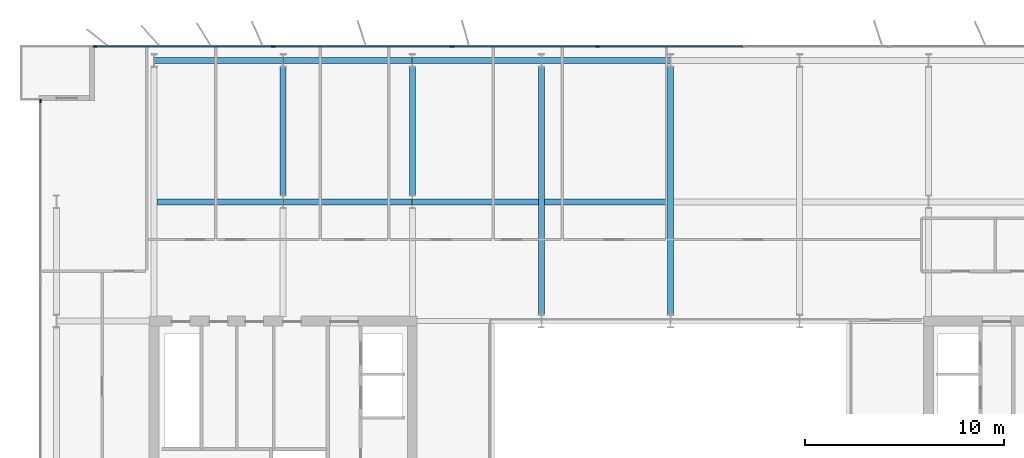
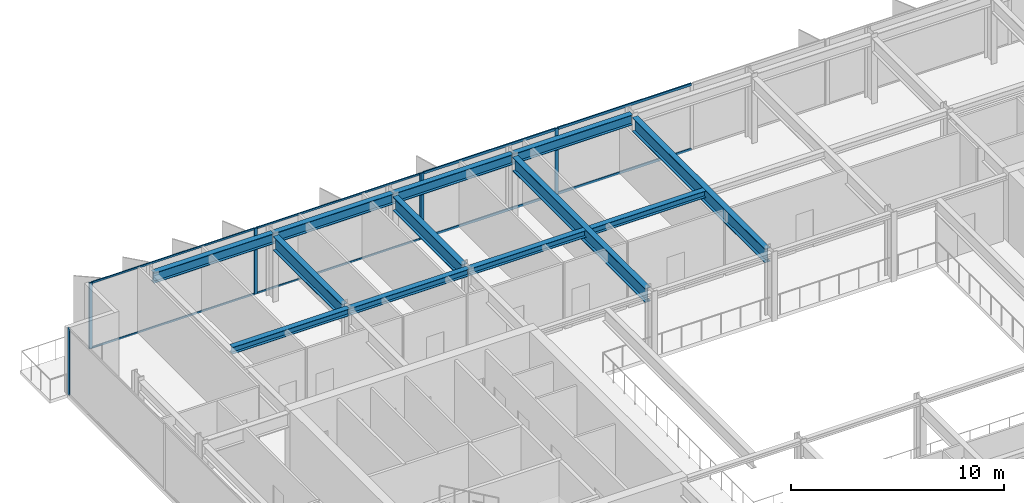
# One storey, part 8 of 20: 14 members, 12 beams, 3 elements without a shape of their own.
"""IFC4 building model written with IfcOpenShell, lengths in metres."""

from ifc_helpers import new_model, si_unit, direction, frame, origin, origin_2d, place, context, subcontext, project, spatial, rectangle, i_section, extrude, material, layer, layer_set, material_profile, profile_set, type_object, element, aggregate, save


model = new_model("IFC4")

# Units and contexts
model_context = context("Model", 3, precision=1e-05, world=origin(), true_north=direction((0.0, 1.0)))
body_context = subcontext(model_context, "Body", "Model", "MODEL_VIEW")
ifc_project = project(units=[si_unit("LENGTHUNIT", "METRE"), si_unit("AREAUNIT", "SQUARE_METRE"), si_unit("VOLUMEUNIT", "CUBIC_METRE"), si_unit("PLANEANGLEUNIT", "RADIAN"), si_unit("MASSUNIT", "GRAM", prefix="KILO")], contexts=[model_context])

# Site, building, storey
site_placement = place(None, origin())
site = spatial("IfcSite", under=ifc_project, at=site_placement, CompositionType="ELEMENT")
building_placement = place(site_placement, origin())
building = spatial("IfcBuilding", under=site, at=building_placement, Name="Putna Gate Headquarters", CompositionType="ELEMENT")
storey_placement = place(building_placement, frame((0.0, 0.0, 282.39990234375)))
storey = spatial("IfcBuildingStorey", under=building, at=storey_placement, Name="L71", CompositionType="ELEMENT", Elevation=282.39990234375)

# Beams
ifc_material_1 = material(Name="Steel S355J2", Category="steel")
ifc_material_profile_1 = material_profile(ifc_material_1, i_section(OverallWidth=0.300048828125, OverallDepth=0.800048828125, WebThickness=0.017578125, FlangeThickness=0.032958984375, at=origin_2d()), Name="Steel S355J2")
ifc_profile_set_1 = profile_set([ifc_material_profile_1], Name="Steel S355J2")
beam_type_1 = type_object("IfcBeamType", Name="BM-GIRD-P-HEB800", PredefinedType="USERDEFINED", material=ifc_profile_set_1)
for number, where, z_axis, x_axis, name in (
    (1, (19.5, 39.322021484375, 3.38818359375), (0.0, 1.0, 0.0), (-1.0, 0.0, 0.0), "L71 North Primary Girder X19-2"),
    (2, (26.0, 39.322021484375, 3.38818359375), (0.0, 1.0, 0.0), (-1.0, 0.0, 0.0), "L71 North Primary Girder X26-2"),
):
    element("IfcBeam", number, at=place(storey_placement, frame(where, z_axis=z_axis, x_axis=x_axis)), inside=storey, type_object=beam_type_1, Name=name, ObjectType="GIRDER", PredefinedType="USERDEFINED", context=body_context, shape_type="SweptSolid", body=[
        extrude(i_section(OverallWidth=0.300048828125, OverallDepth=0.800048828125, WebThickness=0.017578125, FlangeThickness=0.032958984375, at=origin_2d()), origin(), (0.0, 0.0, 1.0), 6.47607421875),
    ])
for number, where, z_axis, x_axis, name in (
    (3, (32.5, 33.322021484375, 3.38818359375), (0.0, 1.0, 0.0), (-1.0, 0.0, 0.0), "L71 North Primary Girder X32"),
    (4, (39.0, 33.322021484375, 3.38818359375), (0.0, 1.0, 0.0), (-1.0, 0.0, 0.0), "L71 North Primary Girder X39"),
):
    element("IfcBeam", number, at=place(storey_placement, frame(where, z_axis=z_axis, x_axis=x_axis)), inside=storey, type_object=beam_type_1, Name=name, ObjectType="GIRDER", PredefinedType="USERDEFINED", context=body_context, shape_type="SweptSolid", body=[
        extrude(i_section(OverallWidth=0.300048828125, OverallDepth=0.800048828125, WebThickness=0.017578125, FlangeThickness=0.032958984375, at=origin_2d()), origin(), (0.0, 0.0, 1.0), 12.47607421875),
    ])
ifc_material_profile_2 = material_profile(ifc_material_1, i_section(OverallWidth=0.300048828125, OverallDepth=0.389892578125, WebThickness=0.010986328125, FlangeThickness=0.01904296875, at=origin_2d()), Name="Steel S355J2")
ifc_profile_set_2 = profile_set([ifc_material_profile_2], Name="Steel S355J2")
beam_type_2 = type_object("IfcBeamType", Name="BM-SEC-Z5-HEA400", PredefinedType="BEAM", material=ifc_profile_set_2)
beam_1_placement = place(storey_placement, frame((13.154052734375, 39.0, 3.593017578125), z_axis=(1.0, 0.0, 0.0), x_axis=(0.0, 1.0, 0.0)))
element("IfcBeam", 5, at=beam_1_placement, inside=storey, type_object=beam_type_2, Name="L71 North Secondary Beam 1", PredefinedType="BEAM", context=body_context, shape_type="SweptSolid", body=[
    extrude(i_section(OverallWidth=0.300048828125, OverallDepth=0.389892578125, WebThickness=0.010986328125, FlangeThickness=0.01904296875, at=origin_2d()), origin(), (0.0, 0.0, 1.0), 6.33984375),
])
beam_2_placement = place(storey_placement, frame((19.506103515625, 39.0, 3.593017578125), z_axis=(1.0, 0.0, 0.0), x_axis=(0.0, 1.0, 0.0)))
element("IfcBeam", 6, at=beam_2_placement, inside=storey, type_object=beam_type_2, Name="L71 North Secondary Beam 2", PredefinedType="BEAM", context=body_context, shape_type="SweptSolid", body=[
    extrude(i_section(OverallWidth=0.300048828125, OverallDepth=0.389892578125, WebThickness=0.010986328125, FlangeThickness=0.01904296875, at=origin_2d()), origin(), (0.0, 0.0, 1.0), 6.48779296875),
])
beam_3_placement = place(storey_placement, frame((26.006103515625, 39.0, 3.593017578125), z_axis=(1.0, 0.0, 0.0), x_axis=(0.0, 1.0, 0.0)))
element("IfcBeam", 7, at=beam_3_placement, inside=storey, type_object=beam_type_2, Name="L71 North Secondary Beam 3", PredefinedType="BEAM", context=body_context, shape_type="SweptSolid", body=[
    extrude(i_section(OverallWidth=0.300048828125, OverallDepth=0.389892578125, WebThickness=0.010986328125, FlangeThickness=0.01904296875, at=origin_2d()), origin(), (0.0, 0.0, 1.0), 6.33984375),
])
beam_4_placement = place(storey_placement, frame((32.654052734375, 39.0, 3.593017578125), z_axis=(1.0, 0.0, 0.0), x_axis=(0.0, 1.0, 0.0)))
element("IfcBeam", 8, at=beam_4_placement, inside=storey, type_object=beam_type_2, Name="L71 North Secondary Beam 4", PredefinedType="BEAM", context=body_context, shape_type="SweptSolid", body=[
    extrude(i_section(OverallWidth=0.300048828125, OverallDepth=0.389892578125, WebThickness=0.010986328125, FlangeThickness=0.01904296875, at=origin_2d()), origin(), (0.0, 0.0, 1.0), 6.19189453125),
])
ifc_material_profile_3 = material_profile(ifc_material_1, i_section(OverallWidth=0.300048828125, OverallDepth=0.590087890625, WebThickness=0.012939453125, FlangeThickness=0.02490234375, at=origin_2d()), Name="Steel S355J2")
ifc_profile_set_3 = profile_set([ifc_material_profile_3], Name="Steel S355J2")
beam_type_3 = type_object("IfcBeamType", Name="BM-SPAN-Z4-HEA600", PredefinedType="SPANDREL", material=ifc_profile_set_3)
for number, where, z_axis, x_axis, name in (
    (9, (13.006103515625, 46.1201171875, 3.4931640625), (1.0, 0.0, 0.0), (0.0, 1.0, 0.0), "L71 N Perimeter Spandrel 1"),
    (10, (19.506103515625, 46.1201171875, 3.4931640625), (1.0, 0.0, 0.0), (0.0, 1.0, 0.0), "L71 N Perimeter Spandrel 2"),
    (11, (26.006103515625, 46.1201171875, 3.4931640625), (1.0, 0.0, 0.0), (0.0, 1.0, 0.0), "L71 N Perimeter Spandrel 3"),
    (12, (32.506103515625, 46.1201171875, 3.4931640625), (1.0, 0.0, 0.0), (0.0, 1.0, 0.0), "L71 N Perimeter Spandrel 4"),
):
    element("IfcBeam", number, at=place(storey_placement, frame(where, z_axis=z_axis, x_axis=x_axis)), inside=storey, type_object=beam_type_3, Name=name, PredefinedType="SPANDREL", context=body_context, shape_type="SweptSolid", body=[
        extrude(i_section(OverallWidth=0.300048828125, OverallDepth=0.590087890625, WebThickness=0.012939453125, FlangeThickness=0.02490234375, at=origin_2d()), origin(), (0.0, 0.0, 1.0), 6.48779296875),
    ])

# Curtain wall, members
ifc_material_2 = material(Name="Anodised bronze aluminium curtain wall", Category="aluminium")
ifc_layer_1 = layer(ifc_material_2, 0.179931640625)
ifc_layer_set_1 = layer_set([ifc_layer_1], Name="Anodised bronze aluminium curtain wall")
curtain_wall_type_1 = type_object("IfcCurtainWallType", Name="CW-SYS-Z5", PredefinedType="USERDEFINED", material=ifc_layer_set_1)
curtain_wall_1_placement = place(storey_placement, origin())
curtain_wall_1 = element("IfcCurtainWall", 13, at=curtain_wall_1_placement, inside=storey, type_object=curtain_wall_type_1, Name="L71 North West Curtain Wall", ObjectType="STICK CURTAIN WALL", PredefinedType="USERDEFINED")
ifc_material_3 = material(Name="Anodised bronze aluminium EN AW-6060", Category="aluminium")
ifc_material_profile_4 = material_profile(ifc_material_3, rectangle(XDim=0.070068359375, YDim=0.179931640625, at=origin_2d()), Name="Anodised bronze aluminium EN AW-6060")
ifc_profile_set_4 = profile_set([ifc_material_profile_4], Name="Anodised bronze aluminium EN AW-6060")
member_type_1 = type_object("IfcMemberType", Name="MULL-CWM-5", PredefinedType="MULLION", material=ifc_profile_set_4)
member_1_placement = place(storey_placement, frame((10.034912109375, 46.820068359375, 0.0), z_axis=(0.0, 0.0, 1.0), x_axis=(0.0, 1.0, 0.0)))
member_1 = element("IfcMember", 14, at=member_1_placement, type_object=member_type_1, Name="CWS-5 mullion 1", PredefinedType="MULLION", context=body_context, shape_type="SweptSolid", body=[
    extrude(rectangle(XDim=0.070068359375, YDim=0.179931640625, at=origin_2d()), origin(), (0.0, 0.0, 1.0), 3.7880859375),
])
member_2_placement = place(storey_placement, frame((19.0, 46.820068359375, 0.0), z_axis=(0.0, 0.0, 1.0), x_axis=(0.0, 1.0, 0.0)))
member_2 = element("IfcMember", 15, at=member_2_placement, type_object=member_type_1, Name="CWS-5 mullion 2", PredefinedType="MULLION", context=body_context, shape_type="SweptSolid", body=[
    extrude(rectangle(XDim=0.070068359375, YDim=0.179931640625, at=origin_2d()), origin(), (0.0, 0.0, 1.0), 3.7880859375),
])
member_3_placement = place(storey_placement, frame((27.965087890625, 46.820068359375, 0.0), z_axis=(0.0, 0.0, 1.0), x_axis=(0.0, 1.0, 0.0)))
member_3 = element("IfcMember", 16, at=member_3_placement, type_object=member_type_1, Name="CWS-5 mullion 3", PredefinedType="MULLION", context=body_context, shape_type="SweptSolid", body=[
    extrude(rectangle(XDim=0.070068359375, YDim=0.179931640625, at=origin_2d()), origin(), (0.0, 0.0, 1.0), 3.7880859375),
])

# Curtain wall, member
curtain_wall_2_placement = place(storey_placement, origin())
curtain_wall_2 = element("IfcCurtainWall", 17, at=curtain_wall_2_placement, inside=storey, type_object=curtain_wall_type_1, Name="L71 West Curtain Wall", ObjectType="STICK CURTAIN WALL", PredefinedType="USERDEFINED")
member_4_placement = place(storey_placement, frame((7.280029296875, 44.06494140625, 0.0), z_axis=(0.0, 0.0, 1.0), x_axis=(-1.0, 0.0, 0.0)))
member_4 = element("IfcMember", 18, at=member_4_placement, type_object=member_type_1, Name="CWS-5 mullion 5", PredefinedType="MULLION", context=body_context, shape_type="SweptSolid", body=[
    extrude(rectangle(XDim=0.070068359375, YDim=0.179931640625, at=origin_2d()), origin(), (0.0, 0.0, 1.0), 3.7880859375),
])
aggregate(curtain_wall_2, [member_4])

# Curtain wall, members
ifc_layer_2 = layer(ifc_material_2, 0.179931640625)
ifc_layer_set_2 = layer_set([ifc_layer_2], Name="Anodised bronze aluminium curtain wall")
curtain_wall_type_2 = type_object("IfcCurtainWallType", Name="CW-SYS-ATR", PredefinedType="USERDEFINED", material=ifc_layer_set_2)
curtain_wall_3_placement = place(storey_placement, origin())
curtain_wall_3 = element("IfcCurtainWall", 19, at=curtain_wall_3_placement, inside=storey, type_object=curtain_wall_type_2, Name="L71 North Atrium Clear Glazing", ObjectType="ATRIUM GLAZING", PredefinedType="USERDEFINED")
ifc_material_profile_5 = material_profile(ifc_material_3, rectangle(XDim=0.070068359375, YDim=0.179931640625, at=origin_2d()), Name="Anodised bronze aluminium EN AW-6060")
ifc_profile_set_5 = profile_set([ifc_material_profile_5], Name="Anodised bronze aluminium EN AW-6060")
member_type_2 = type_object("IfcMemberType", Name="MULL-CWM-AT", PredefinedType="MULLION", material=ifc_profile_set_5)
member_5_placement = place(storey_placement, frame((28.034912109375, 46.820068359375, 0.0), z_axis=(0.0, 0.0, 1.0), x_axis=(0.0, 1.0, 0.0)))
member_5 = element("IfcMember", 20, at=member_5_placement, type_object=member_type_2, Name="CWS-AT mullion 1", PredefinedType="MULLION", context=body_context, shape_type="SweptSolid", body=[
    extrude(rectangle(XDim=0.070068359375, YDim=0.179931640625, at=origin_2d()), origin(), (0.0, 0.0, 1.0), 3.7880859375),
])
member_6_placement = place(storey_placement, frame((35.333251953125, 46.820068359375, 0.0), z_axis=(0.0, 0.0, 1.0), x_axis=(0.0, 1.0, 0.0)))
member_6 = element("IfcMember", 21, at=member_6_placement, type_object=member_type_2, Name="CWS-AT mullion 2", PredefinedType="MULLION", context=body_context, shape_type="SweptSolid", body=[
    extrude(rectangle(XDim=0.070068359375, YDim=0.179931640625, at=origin_2d()), origin(), (0.0, 0.0, 1.0), 3.7880859375),
])

# Member
ifc_material_profile_6 = material_profile(ifc_material_3, rectangle(XDim=0.06005859375, YDim=0.10009765625, at=origin_2d()), Name="Anodised bronze aluminium EN AW-6060")
ifc_profile_set_6 = profile_set([ifc_material_profile_6], Name="Anodised bronze aluminium EN AW-6060")
member_type_3 = type_object("IfcMemberType", Name="TRAN-CWT-5", PredefinedType="USERDEFINED", material=ifc_profile_set_6)
member_7_placement = place(storey_placement, frame((10.070068359375, 46.820068359375, 0.030029296875), z_axis=(1.0, 0.0, 0.0), x_axis=(0.0, 1.0, 0.0)))
member_7 = element("IfcMember", 22, at=member_7_placement, type_object=member_type_3, Name="CWS-5 transom 1.1", ObjectType="TRANSOM", PredefinedType="USERDEFINED", context=body_context, shape_type="SweptSolid", body=[
    extrude(rectangle(XDim=0.06005859375, YDim=0.10009765625, at=origin_2d()), origin(), (0.0, 0.0, 1.0), 8.89501953125),
])

member_8_placement = place(storey_placement, frame((10.070068359375, 46.820068359375, 3.758056640625), z_axis=(1.0, 0.0, 0.0), x_axis=(0.0, 1.0, 0.0)))
member_8 = element("IfcMember", 23, at=member_8_placement, type_object=member_type_3, Name="CWS-5 transom 1.2", ObjectType="TRANSOM", PredefinedType="USERDEFINED", context=body_context, shape_type="SweptSolid", body=[
    extrude(rectangle(XDim=0.06005859375, YDim=0.10009765625, at=origin_2d()), origin(), (0.0, 0.0, 1.0), 8.89501953125),
])

member_9_placement = place(storey_placement, frame((19.034912109375, 46.820068359375, 0.030029296875), z_axis=(1.0, 0.0, 0.0), x_axis=(0.0, 1.0, 0.0)))
member_9 = element("IfcMember", 24, at=member_9_placement, type_object=member_type_3, Name="CWS-5 transom 2.1", ObjectType="TRANSOM", PredefinedType="USERDEFINED", context=body_context, shape_type="SweptSolid", body=[
    extrude(rectangle(XDim=0.06005859375, YDim=0.10009765625, at=origin_2d()), origin(), (0.0, 0.0, 1.0), 8.89501953125),
])

member_10_placement = place(storey_placement, frame((19.034912109375, 46.820068359375, 3.758056640625), z_axis=(1.0, 0.0, 0.0), x_axis=(0.0, 1.0, 0.0)))
member_10 = element("IfcMember", 25, at=member_10_placement, type_object=member_type_3, Name="CWS-5 transom 2.2", ObjectType="TRANSOM", PredefinedType="USERDEFINED", context=body_context, shape_type="SweptSolid", body=[
    extrude(rectangle(XDim=0.06005859375, YDim=0.10009765625, at=origin_2d()), origin(), (0.0, 0.0, 1.0), 8.89501953125),
])

aggregate(curtain_wall_1, [member_1, member_2, member_3, member_7, member_8, member_9, member_10])

ifc_material_profile_7 = material_profile(ifc_material_3, rectangle(XDim=0.070068359375, YDim=0.139892578125, at=origin_2d()), Name="Anodised bronze aluminium EN AW-6060")
ifc_profile_set_7 = profile_set([ifc_material_profile_7], Name="Anodised bronze aluminium EN AW-6060")
member_type_4 = type_object("IfcMemberType", Name="TRAN-CWT-AT", PredefinedType="USERDEFINED", material=ifc_profile_set_7)
member_11_placement = place(storey_placement, frame((28.070068359375, 46.820068359375, 0.03515625), z_axis=(1.0, 0.0, 0.0), x_axis=(0.0, 1.0, 0.0)))
member_11 = element("IfcMember", 26, at=member_11_placement, type_object=member_type_4, Name="CWS-AT transom 1.1", ObjectType="TRANSOM", PredefinedType="USERDEFINED", context=body_context, shape_type="SweptSolid", body=[
    extrude(rectangle(XDim=0.070068359375, YDim=0.139892578125, at=origin_2d()), origin(), (0.0, 0.0, 1.0), 7.228271484375),
])

member_12_placement = place(storey_placement, frame((28.070068359375, 46.820068359375, 3.753173828125), z_axis=(1.0, 0.0, 0.0), x_axis=(0.0, 1.0, 0.0)))
member_12 = element("IfcMember", 27, at=member_12_placement, type_object=member_type_4, Name="CWS-AT transom 1.2", ObjectType="TRANSOM", PredefinedType="USERDEFINED", context=body_context, shape_type="SweptSolid", body=[
    extrude(rectangle(XDim=0.070068359375, YDim=0.139892578125, at=origin_2d()), origin(), (0.0, 0.0, 1.0), 7.228271484375),
])

member_13_placement = place(storey_placement, frame((35.368408203125, 46.820068359375, 0.03515625), z_axis=(1.0, 0.0, 0.0), x_axis=(0.0, 1.0, 0.0)))
member_13 = element("IfcMember", 28, at=member_13_placement, type_object=member_type_4, Name="CWS-AT transom 2.1", ObjectType="TRANSOM", PredefinedType="USERDEFINED", context=body_context, shape_type="SweptSolid", body=[
    extrude(rectangle(XDim=0.070068359375, YDim=0.139892578125, at=origin_2d()), origin(), (0.0, 0.0, 1.0), 7.26318359375),
])

member_14_placement = place(storey_placement, frame((35.368408203125, 46.820068359375, 3.753173828125), z_axis=(1.0, 0.0, 0.0), x_axis=(0.0, 1.0, 0.0)))
member_14 = element("IfcMember", 29, at=member_14_placement, type_object=member_type_4, Name="CWS-AT transom 2.2", ObjectType="TRANSOM", PredefinedType="USERDEFINED", context=body_context, shape_type="SweptSolid", body=[
    extrude(rectangle(XDim=0.070068359375, YDim=0.139892578125, at=origin_2d()), origin(), (0.0, 0.0, 1.0), 7.26318359375),
])

aggregate(curtain_wall_3, [member_5, member_6, member_11, member_12, member_13, member_14])

save(model, "model.ifc")
